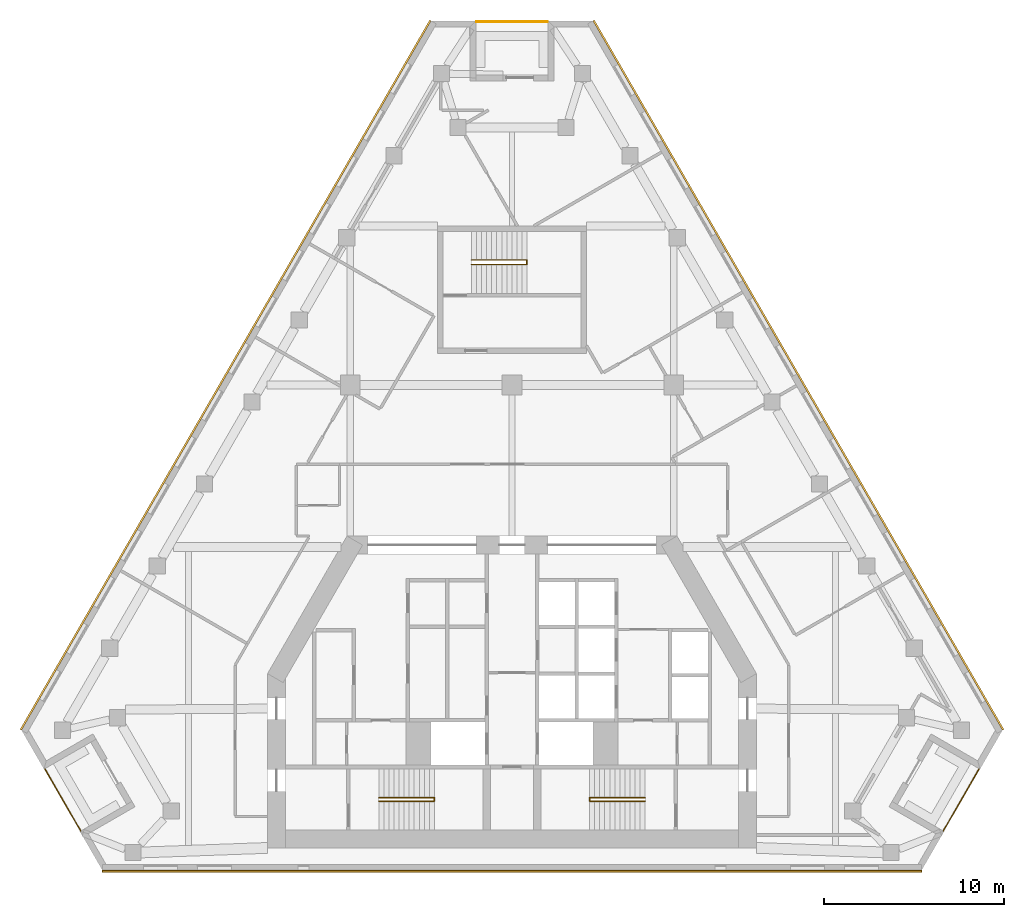
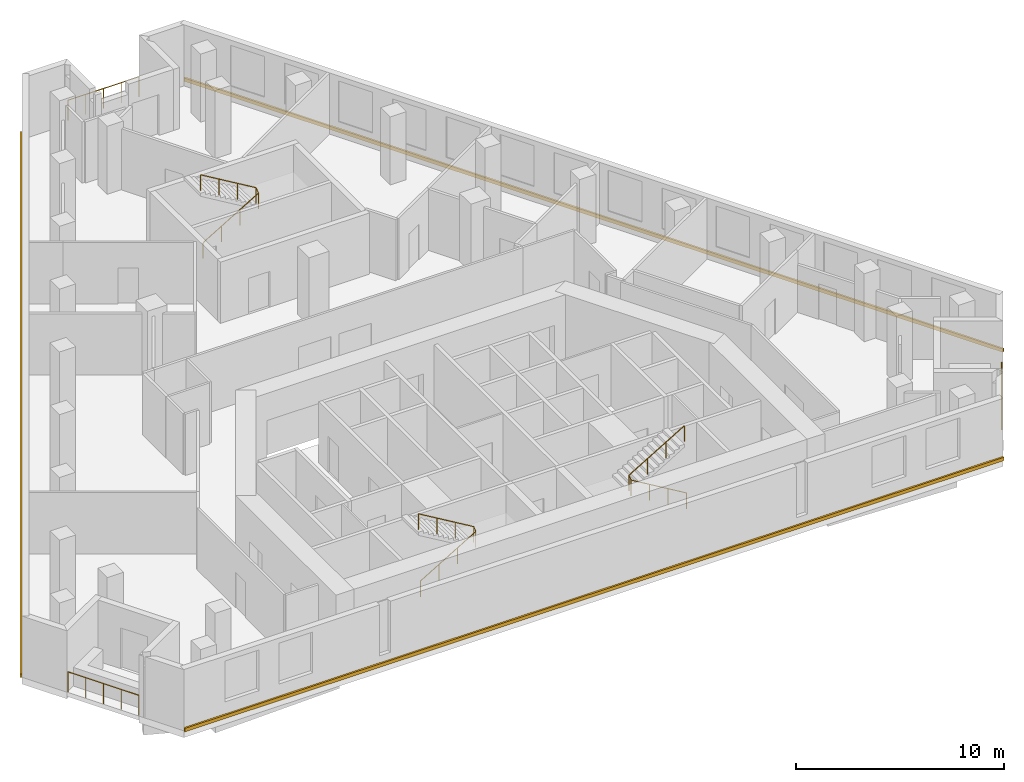
# One storey, part 9 of 9: 6 railings, 3 coverings.
"""IFC4 building model written with IfcOpenShell, lengths in metres."""

from ifc_helpers import new_model, si_unit, direction, frame, origin, origin_2d, place, context, subcontext, project, spatial, polyline, circle, outline, extrude, material, type_object, element, save


model = new_model("IFC4")

# Units and contexts
model_context = context("Model", 3, precision=1e-05, world=origin(), true_north=direction((0.0, 1.0)))
body_context = subcontext(model_context, "Body", "Model", "MODEL_VIEW")
ifc_project = project(units=[si_unit("LENGTHUNIT", "METRE"), si_unit("AREAUNIT", "SQUARE_METRE"), si_unit("VOLUMEUNIT", "CUBIC_METRE"), si_unit("PLANEANGLEUNIT", "RADIAN"), si_unit("MASSUNIT", "GRAM", prefix="KILO")], contexts=[model_context])

# Site, building, storey
site_placement = place(None, origin())
site = spatial("IfcSite", under=ifc_project, at=site_placement, CompositionType="ELEMENT")
building_placement = place(site_placement, origin())
building = spatial("IfcBuilding", under=site, at=building_placement, Name="Fogline Exchange Tower", CompositionType="ELEMENT")
storey_placement = place(building_placement, frame((0.0, 0.0, 206.10009765625)))
storey = spatial("IfcBuildingStorey", under=building, at=storey_placement, Name="L46", CompositionType="ELEMENT", Elevation=206.10009765625)

# Railings
ifc_material_1 = material(Name="Stainless steel 304", Category="steel")
railing_type_1 = type_object("IfcRailingType", Name="G1", PredefinedType="GUARDRAIL", material=ifc_material_1)
railing_1_placement = place(storey_placement, frame((-25.982666015625, 5.635986328125, 0.0)))
element("IfcRailing", 1, at=railing_1_placement, inside=storey, type_object=railing_type_1, Name="Balcony guard L46 SW", PredefinedType="GUARDRAIL", context=body_context, shape_type="SweptSolid", body=[
    extrude(circle(Radius=0.02392578125, at=origin_2d()), frame((0.0, 0.0, 1.17578125), z_axis=(0.500000102728, -0.866025344474, 0.0), x_axis=(0.866025344474, 0.500000102728, 0.0)), (0.0, 0.0, 1.0), 3.9580078125),
    extrude(circle(Radius=0.02099609375, at=origin_2d()), origin(), (0.0, 0.0, 1.0), 1.15185546875),
    extrude(circle(Radius=0.02099609375, at=origin_2d()), frame((0.49462890625, -0.85693359375, 0.0)), (0.0, 0.0, 1.0), 1.15185546875),
    extrude(circle(Radius=0.02099609375, at=origin_2d()), frame((0.989501953125, -1.7138671875, 0.0)), (0.0, 0.0, 1.0), 1.15185546875),
    extrude(circle(Radius=0.02099609375, at=origin_2d()), frame((1.484375, -2.57080078125, 0.0)), (0.0, 0.0, 1.0), 1.15185546875),
    extrude(circle(Radius=0.02099609375, at=origin_2d()), frame((1.97900390625, -3.427734375, 0.0)), (0.0, 0.0, 1.0), 1.15185546875),
])
railing_2_placement = place(storey_placement, frame((24.003662109375, 2.208251953125, 0.0)))
element("IfcRailing", 2, at=railing_2_placement, inside=storey, type_object=railing_type_1, Name="Balcony guard L46 SE", PredefinedType="GUARDRAIL", context=body_context, shape_type="SweptSolid", body=[
    extrude(circle(Radius=0.02392578125, at=origin_2d()), frame((0.0, 0.0, 1.17578125), z_axis=(0.500000102728, 0.866025344474, 0.0), x_axis=(-0.866025344474, 0.500000102728, 0.0)), (0.0, 0.0, 1.0), 3.9580078125),
    extrude(circle(Radius=0.02099609375, at=origin_2d()), origin(), (0.0, 0.0, 1.0), 1.15185546875),
    extrude(circle(Radius=0.02099609375, at=origin_2d()), frame((0.49462890625, 0.85693359375, 0.0)), (0.0, 0.0, 1.0), 1.15185546875),
    extrude(circle(Radius=0.02099609375, at=origin_2d()), frame((0.989501953125, 1.7138671875, 0.0)), (0.0, 0.0, 1.0), 1.15185546875),
    extrude(circle(Radius=0.02099609375, at=origin_2d()), frame((1.484375, 2.57080078125, 0.0)), (0.0, 0.0, 1.0), 1.15185546875),
    extrude(circle(Radius=0.02099609375, at=origin_2d()), frame((1.97900390625, 3.427734375, 0.0)), (0.0, 0.0, 1.0), 1.15185546875),
])
railing_3_placement = place(storey_placement, frame((1.97900390625, 47.211669921875, 0.0)))
element("IfcRailing", 3, at=railing_3_placement, inside=storey, type_object=railing_type_1, Name="Balcony guard L46 N", PredefinedType="GUARDRAIL", context=body_context, shape_type="SweptSolid", body=[
    extrude(circle(Radius=0.02392578125, at=origin_2d()), frame((0.0, 0.0, 1.17578125), z_axis=(-1.0, 0.0, 0.0), x_axis=(0.0, -1.0, 0.0)), (0.0, 0.0, 1.0), 3.9580078125),
    extrude(circle(Radius=0.02099609375, at=origin_2d()), origin(), (0.0, 0.0, 1.0), 1.15185546875),
    extrude(circle(Radius=0.02099609375, at=origin_2d()), frame((-0.989501953125, 0.0, 0.0)), (0.0, 0.0, 1.0), 1.15185546875),
    extrude(circle(Radius=0.02099609375, at=origin_2d()), frame((-1.97900390625, 0.0, 0.0)), (0.0, 0.0, 1.0), 1.15185546875),
    extrude(circle(Radius=0.02099609375, at=origin_2d()), frame((-2.968505859375, 0.0, 0.0)), (0.0, 0.0, 1.0), 1.15185546875),
    extrude(circle(Radius=0.02099609375, at=origin_2d()), frame((-3.9580078125, 0.0, 0.0)), (0.0, 0.0, 1.0), 1.15185546875),
])
ifc_material_2 = material(Name="Steel Q235B", Category="steel")
railing_type_2 = type_object("IfcRailingType", Name="RL-HR", PredefinedType="HANDRAIL", material=ifc_material_2)
railing_4_placement = place(storey_placement, frame((-7.39990234375, 3.85009765625, 0.16650390625)))
element("IfcRailing", 4, at=railing_4_placement, inside=storey, type_object=railing_type_2, Name="Handrail ST1", PredefinedType="HANDRAIL", context=body_context, shape_type="SweptSolid", body=[
    extrude(circle(Radius=0.02392578125, at=origin_2d()), frame((0.0, 0.0, 0.92578125), z_axis=(0.859260807169, 0.0, 0.511537745687), x_axis=(0.0, 1.0, 0.0)), (0.0, 0.0, 1.0), 3.584228515625),
    extrude(circle(Radius=0.02392578125, at=origin_2d()), frame((3.079833984375, 0.0, 2.75927734375), z_axis=(0.0, 0.768451954486, 0.639907488351), x_axis=(-1.0, 0.0, 0.0)), (0.0, 0.0, 1.0), 0.26025390625),
    extrude(circle(Radius=0.02392578125, at=origin_2d()), frame((3.079833984375, 0.199951171875, 2.92578125), z_axis=(-0.859260807169, 0.0, 0.511537745687), x_axis=(0.0, -1.0, 0.0)), (0.0, 0.0, 1.0), 3.584228515625),
    extrude(circle(Radius=0.02099609375, at=origin_2d()), origin(), (0.0, 0.0, 1.0), 0.90185546875),
    extrude(circle(Radius=0.02099609375, at=origin_2d()), frame((1.026611328125, 0.0, 0.611083984375)), (0.0, 0.0, 1.0), 0.90185546875),
    extrude(circle(Radius=0.02099609375, at=origin_2d()), frame((2.05322265625, 0.0, 1.222412109375)), (0.0, 0.0, 1.0), 0.90185546875),
    extrude(circle(Radius=0.02099609375, at=origin_2d()), frame((3.079833984375, 0.0, 1.83349609375)), (0.0, 0.0, 1.0), 0.90185546875),
    extrude(circle(Radius=0.02099609375, at=origin_2d()), frame((3.079833984375, 0.199951171875, 2.0)), (0.0, 0.0, 1.0), 0.90185546875),
    extrude(circle(Radius=0.02099609375, at=origin_2d()), frame((2.05322265625, 0.199951171875, 2.611083984375)), (0.0, 0.0, 1.0), 0.90185546875),
    extrude(circle(Radius=0.02099609375, at=origin_2d()), frame((1.026611328125, 0.199951171875, 3.222412109375)), (0.0, 0.0, 1.0), 0.90185546875),
    extrude(circle(Radius=0.02099609375, at=origin_2d()), frame((0.0, 0.199951171875, 3.83349609375)), (0.0, 0.0, 1.0), 0.90185546875),
])
railing_5_placement = place(storey_placement, frame((7.39990234375, 3.85009765625, 0.16650390625)))
element("IfcRailing", 5, at=railing_5_placement, inside=storey, type_object=railing_type_2, Name="Handrail ST2", PredefinedType="HANDRAIL", context=body_context, shape_type="SweptSolid", body=[
    extrude(circle(Radius=0.02392578125, at=origin_2d()), frame((0.0, 0.0, 0.92578125), z_axis=(-0.859260807169, 0.0, 0.511537745687), x_axis=(0.0, -1.0, 0.0)), (0.0, 0.0, 1.0), 3.584228515625),
    extrude(circle(Radius=0.02392578125, at=origin_2d()), frame((-3.079833984375, 0.0, 2.75927734375), z_axis=(0.0, 0.768451954486, 0.639907488351), x_axis=(-1.0, 0.0, 0.0)), (0.0, 0.0, 1.0), 0.26025390625),
    extrude(circle(Radius=0.02392578125, at=origin_2d()), frame((-3.079833984375, 0.199951171875, 2.92578125), z_axis=(0.859260807169, 0.0, 0.511537745687), x_axis=(0.0, 1.0, 0.0)), (0.0, 0.0, 1.0), 3.584228515625),
    extrude(circle(Radius=0.02099609375, at=origin_2d()), origin(), (0.0, 0.0, 1.0), 0.90185546875),
    extrude(circle(Radius=0.02099609375, at=origin_2d()), frame((-1.026611328125, 0.0, 0.611083984375)), (0.0, 0.0, 1.0), 0.90185546875),
    extrude(circle(Radius=0.02099609375, at=origin_2d()), frame((-2.05322265625, 0.0, 1.222412109375)), (0.0, 0.0, 1.0), 0.90185546875),
    extrude(circle(Radius=0.02099609375, at=origin_2d()), frame((-3.079833984375, 0.0, 1.83349609375)), (0.0, 0.0, 1.0), 0.90185546875),
    extrude(circle(Radius=0.02099609375, at=origin_2d()), frame((-3.079833984375, 0.199951171875, 2.0)), (0.0, 0.0, 1.0), 0.90185546875),
    extrude(circle(Radius=0.02099609375, at=origin_2d()), frame((-2.05322265625, 0.199951171875, 2.611083984375)), (0.0, 0.0, 1.0), 0.90185546875),
    extrude(circle(Radius=0.02099609375, at=origin_2d()), frame((-1.026611328125, 0.199951171875, 3.222412109375)), (0.0, 0.0, 1.0), 0.90185546875),
    extrude(circle(Radius=0.02099609375, at=origin_2d()), frame((0.0, 0.199951171875, 3.83349609375)), (0.0, 0.0, 1.0), 0.90185546875),
])
railing_6_placement = place(storey_placement, frame((-2.25, 33.70703125, 0.16650390625)))
element("IfcRailing", 6, at=railing_6_placement, inside=storey, type_object=railing_type_2, Name="Handrail ST3", PredefinedType="HANDRAIL", context=body_context, shape_type="SweptSolid", body=[
    extrude(circle(Radius=0.02392578125, at=origin_2d()), frame((0.0, 0.0, 0.92578125), z_axis=(0.85927862911, 0.0, 0.511507807912), x_axis=(0.0, 1.0, 0.0)), (0.0, 0.0, 1.0), 3.58447265625),
    extrude(circle(Radius=0.02392578125, at=origin_2d()), frame((3.080078125, 0.0, 2.75927734375), z_axis=(0.0, 0.832300300006, 0.554325004496), x_axis=(-1.0, 0.0, 0.0)), (0.0, 0.0, 1.0), 0.30029296875),
    extrude(circle(Radius=0.02392578125, at=origin_2d()), frame((3.080078125, 0.25, 2.92578125), z_axis=(-0.85927862911, 0.0, 0.511507807912), x_axis=(0.0, -1.0, 0.0)), (0.0, 0.0, 1.0), 3.58447265625),
    extrude(circle(Radius=0.02099609375, at=origin_2d()), origin(), (0.0, 0.0, 1.0), 0.90185546875),
    extrude(circle(Radius=0.02099609375, at=origin_2d()), frame((1.026611328125, 0.0, 0.611083984375)), (0.0, 0.0, 1.0), 0.90185546875),
    extrude(circle(Radius=0.02099609375, at=origin_2d()), frame((2.053466796875, 0.0, 1.222412109375)), (0.0, 0.0, 1.0), 0.90185546875),
    extrude(circle(Radius=0.02099609375, at=origin_2d()), frame((3.080078125, 0.0, 1.83349609375)), (0.0, 0.0, 1.0), 0.90185546875),
    extrude(circle(Radius=0.02099609375, at=origin_2d()), frame((3.080078125, 0.25, 2.0)), (0.0, 0.0, 1.0), 0.90185546875),
    extrude(circle(Radius=0.02099609375, at=origin_2d()), frame((2.053466796875, 0.25, 2.611083984375)), (0.0, 0.0, 1.0), 0.90185546875),
    extrude(circle(Radius=0.02099609375, at=origin_2d()), frame((1.026611328125, 0.25, 3.222412109375)), (0.0, 0.0, 1.0), 0.90185546875),
    extrude(circle(Radius=0.02099609375, at=origin_2d()), frame((0.0, 0.25, 3.83349609375)), (0.0, 0.0, 1.0), 0.90185546875),
])

# Coverings
ifc_material_3 = material(Name="Brick masonry", Category="masonry")
covering_type = type_object("IfcCoveringType", Name="SB1", PredefinedType="CLADDING", material=ifc_material_3)
covering_1_placement = place(storey_placement, origin())
element("IfcCovering", 7, at=covering_1_placement, inside=storey, type_object=covering_type, Name="Stringcourse band L46 S", PredefinedType="CLADDING", context=body_context, shape_type="SweptSolid", body=[
    extrude(outline(polyline([(-22.78662109375, 0.0), (-22.78662109375, -0.10009765625), (22.78662109375, -0.10009765625), (22.78662109375, 0.0), (-22.78662109375, 0.0)])), origin(), (0.0, 0.0, 1.0), 0.199951171875),
])
covering_2_placement = place(storey_placement, origin())
element("IfcCovering", 8, at=covering_2_placement, inside=storey, type_object=covering_type, Name="Stringcourse band L46 E", PredefinedType="CLADDING", context=body_context, shape_type="SweptSolid", body=[
    extrude(outline(polyline([(27.28662109375, 7.794189453125), (27.373046875, 7.84423828125), (4.586669921875, 47.311767578125), (4.5, 47.26171875), (27.28662109375, 7.794189453125)])), origin(), (0.0, 0.0, 1.0), 0.199951171875),
])
covering_3_placement = place(storey_placement, origin())
element("IfcCovering", 9, at=covering_3_placement, inside=storey, type_object=covering_type, Name="Stringcourse band L46 W", PredefinedType="CLADDING", context=body_context, shape_type="SweptSolid", body=[
    extrude(outline(polyline([(-4.5, 47.26171875), (-4.586669921875, 47.311767578125), (-27.373046875, 7.84423828125), (-27.28662109375, 7.794189453125), (-4.5, 47.26171875)])), origin(), (0.0, 0.0, 1.0), 0.199951171875),
])

save(model, "model.ifc")
